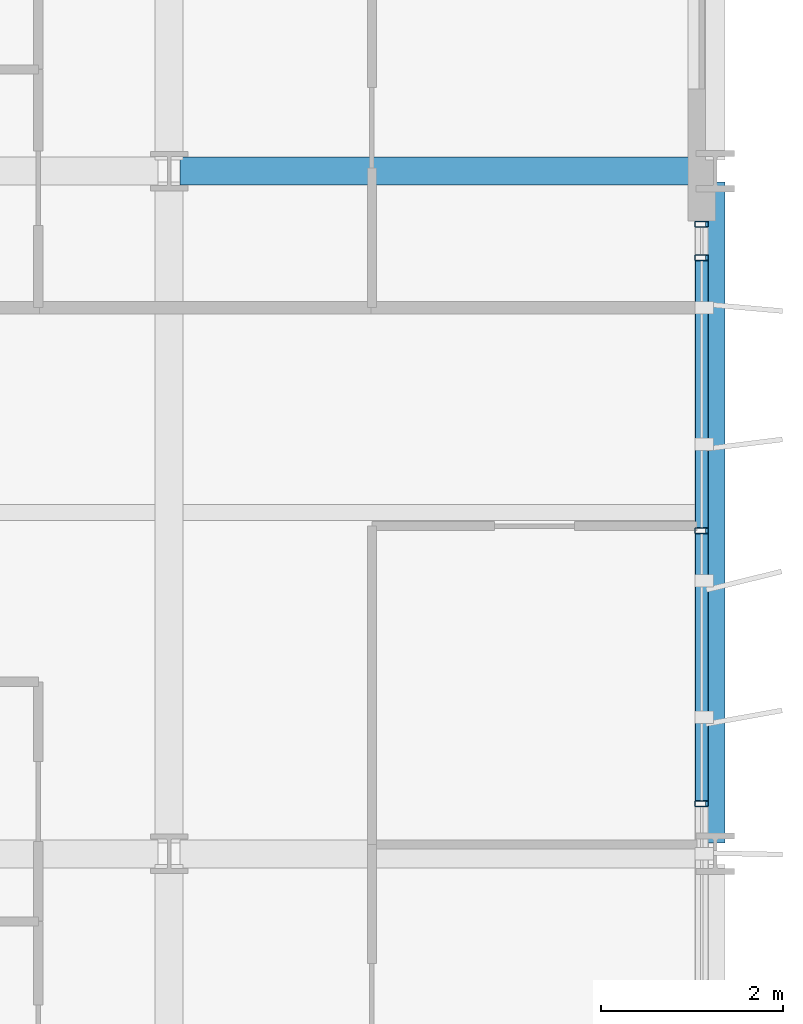
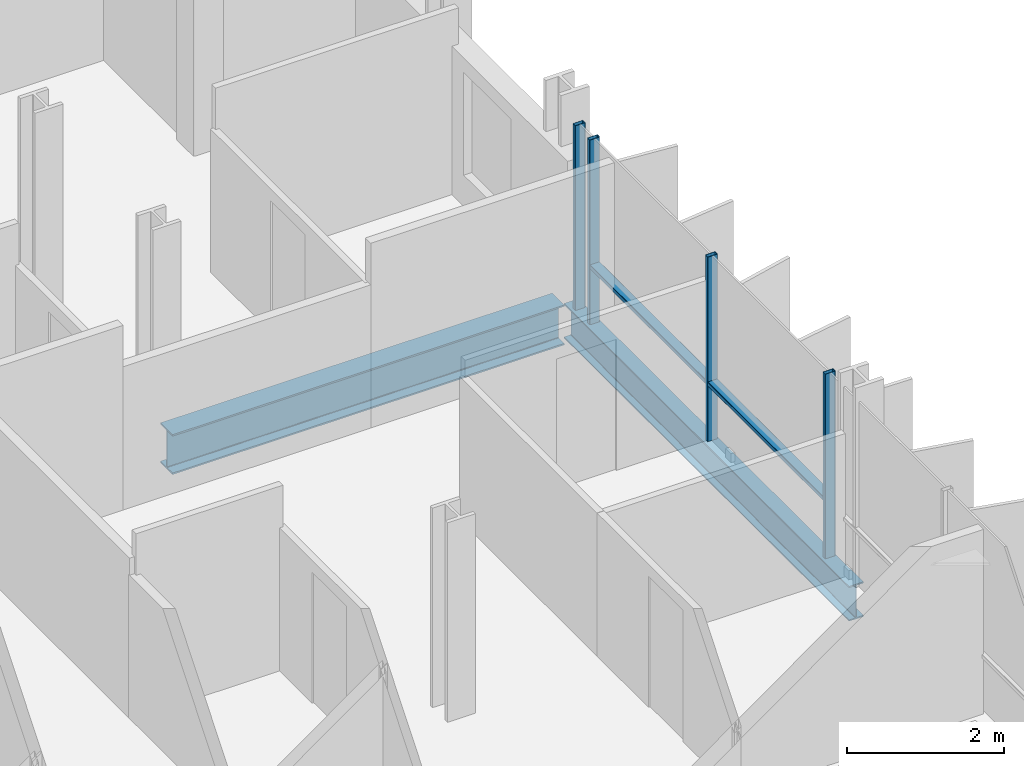
# One storey, part 19 of 38: 6 members, 2 beams, 1 element without a shape of its own.
"""IFC4 building model written with IfcOpenShell, lengths in metres."""

from ifc_helpers import new_model, si_unit, direction, frame, origin, origin_2d, place, context, subcontext, project, spatial, hollow_rectangle, i_section, extrude, material, layer, layer_set, material_profile, profile_set, type_object, element, aggregate, save


model = new_model("IFC4")

# Units and contexts
model_context = context("Model", 3, precision=1e-05, world=origin(), true_north=direction((0.0, 1.0)))
body_context = subcontext(model_context, "Body", "Model", "MODEL_VIEW")
ifc_project = project(units=[si_unit("LENGTHUNIT", "METRE"), si_unit("AREAUNIT", "SQUARE_METRE"), si_unit("VOLUMEUNIT", "CUBIC_METRE"), si_unit("PLANEANGLEUNIT", "RADIAN"), si_unit("MASSUNIT", "GRAM", prefix="KILO")], contexts=[model_context])

# Site, building, storey
site_placement = place(None, origin())
site = spatial("IfcSite", under=ifc_project, at=site_placement, CompositionType="ELEMENT")
building_placement = place(site_placement, origin())
building = spatial("IfcBuilding", under=site, at=building_placement, Name="Brevholm Reach", CompositionType="ELEMENT")
storey_placement = place(building_placement, frame((0.0, 0.0, 65.199951171875)))
storey = spatial("IfcBuildingStorey", under=building, at=storey_placement, Name="L18", CompositionType="ELEMENT", Elevation=65.199951171875)

# Beams
ifc_material_1 = material(Name="Structural Steel S355J2", Category="steel")
ifc_material_profile_1 = material_profile(ifc_material_1, i_section(OverallWidth=0.210693359375, OverallDepth=0.53955078125, WebThickness=0.01171875, FlangeThickness=0.018798828125, FilletRadius=0.0126953125, at=origin_2d()), Name="UKB 533x210x109")
ifc_profile_set_1 = profile_set([ifc_material_profile_1], Name="Structural Steel S355J2")
beam_type_1 = type_object("IfcBeamType", Name="BM-SP539", PredefinedType="SPANDREL", material=ifc_profile_set_1)
beam_1_placement = place(storey_placement, frame((60.0, 16.1201171875, -0.499755859375), z_axis=(0.0, 1.0, 0.0), x_axis=(-1.0, 0.0, 0.0)))
element("IfcBeam", 1, at=beam_1_placement, inside=storey, type_object=beam_type_1, Name="L18 SP-01B Framing Beam", PredefinedType="SPANDREL", context=body_context, shape_type="SweptSolid", body=[
    extrude(i_section(OverallWidth=0.210693359375, OverallDepth=0.53955078125, WebThickness=0.01171875, FlangeThickness=0.018798828125, FilletRadius=0.0126953125, at=origin_2d()), origin(), (0.0, 0.0, 1.0), 7.259765625),
])
ifc_material_2 = material(Name="Structural Steel S355J2", Category="steel")
ifc_material_profile_2 = material_profile(ifc_material_2, i_section(OverallWidth=0.30712890625, OverallDepth=0.6201171875, WebThickness=0.01416015625, FlangeThickness=0.023681640625, FilletRadius=0.0166015625, at=origin_2d()), Name="UKB 610x305x179")
ifc_profile_set_2 = profile_set([ifc_material_profile_2], Name="Structural Steel S355J2")
beam_type_2 = type_object("IfcBeamType", Name="BM-UKB610H", PredefinedType="USERDEFINED", material=ifc_profile_set_2)
beam_2_placement = place(storey_placement, frame((54.1201171875, 23.5, -0.5400390625), z_axis=(1.0, 0.0, 0.0), x_axis=(0.0, 1.0, 0.0)))
element("IfcBeam", 2, at=beam_2_placement, inside=storey, type_object=beam_type_2, Name="L18 G-06 Framing Beam", ObjectType="GIRDER", PredefinedType="USERDEFINED", context=body_context, shape_type="SweptSolid", body=[
    extrude(i_section(OverallWidth=0.30712890625, OverallDepth=0.6201171875, WebThickness=0.01416015625, FlangeThickness=0.023681640625, FilletRadius=0.0166015625, at=origin_2d()), origin(), (0.0, 0.0, 1.0), 5.759765625),
])

# Curtain wall, members
ifc_material_3 = material(Name="Dark Anodised Aluminium 6063-T6 and Solar-Control Glass", Category="aluminium")
ifc_layer = layer(ifc_material_3, 0.14990234375)
ifc_layer_set = layer_set([ifc_layer], Name="Dark Anodised Aluminium 6063-T6 and Solar-Control Glass")
curtain_wall_type = type_object("IfcCurtainWallType", Name="CW-01", PredefinedType="NOTDEFINED", material=ifc_layer_set)
curtain_wall_placement = place(storey_placement, origin())
curtain_wall = element("IfcCurtainWall", 3, at=curtain_wall_placement, inside=storey, type_object=curtain_wall_type, Name="L18 Curtain Wall CW-01", PredefinedType="NOTDEFINED")
ifc_material_4 = material(Name="Dark Anodised Aluminium 6063-T6", Category="aluminium")
ifc_material_profile_3 = material_profile(ifc_material_4, hollow_rectangle(XDim=0.06494140625, YDim=0.14990234375, WallThickness=0.0048828125, InnerFilletRadius=0.0048828125, OuterFilletRadius=0.010009765625, at=origin_2d()), Name="RHS 150x65x5")
ifc_profile_set_3 = profile_set([ifc_material_profile_3], Name="Dark Anodised Aluminium 6063-T6")
member_type_1 = type_object("IfcMemberType", Name="CWM-150", PredefinedType="MULLION", material=ifc_profile_set_3)
member_1_placement = place(storey_placement, frame((59.85009765625, 16.550048828125, 0.0), z_axis=(0.0, 0.0, 1.0), x_axis=(0.0, 1.0, 0.0)))
member_1 = element("IfcMember", 4, at=member_1_placement, type_object=member_type_1, Name="CM-150 Mullion 3", PredefinedType="MULLION", context=body_context, shape_type="SweptSolid", body=[
    extrude(hollow_rectangle(XDim=0.06494140625, YDim=0.14990234375, WallThickness=0.0048828125, InnerFilletRadius=0.0048828125, OuterFilletRadius=0.010009765625, at=origin_2d()), origin(), (0.0, 0.0, 1.0), 2.8701171875),
])
member_2_placement = place(storey_placement, frame((59.85009765625, 19.550048828125, 0.0), z_axis=(0.0, 0.0, 1.0), x_axis=(0.0, 1.0, 0.0)))
member_2 = element("IfcMember", 5, at=member_2_placement, type_object=member_type_1, Name="CM-150 Mullion 4", PredefinedType="MULLION", context=body_context, shape_type="SweptSolid", body=[
    extrude(hollow_rectangle(XDim=0.06494140625, YDim=0.14990234375, WallThickness=0.0048828125, InnerFilletRadius=0.0048828125, OuterFilletRadius=0.010009765625, at=origin_2d()), origin(), (0.0, 0.0, 1.0), 2.8701171875),
])
member_3_placement = place(storey_placement, frame((59.85009765625, 22.550048828125, 0.0), z_axis=(0.0, 0.0, 1.0), x_axis=(0.0, 1.0, 0.0)))
member_3 = element("IfcMember", 6, at=member_3_placement, type_object=member_type_1, Name="CM-150 Mullion 5", PredefinedType="MULLION", context=body_context, shape_type="SweptSolid", body=[
    extrude(hollow_rectangle(XDim=0.06494140625, YDim=0.14990234375, WallThickness=0.0048828125, InnerFilletRadius=0.0048828125, OuterFilletRadius=0.010009765625, at=origin_2d()), origin(), (0.0, 0.0, 1.0), 2.8701171875),
])
member_4_placement = place(storey_placement, frame((59.85009765625, 22.91748046875, 0.0), z_axis=(0.0, 0.0, 1.0), x_axis=(0.0, 1.0, 0.0)))
member_4 = element("IfcMember", 7, at=member_4_placement, type_object=member_type_1, Name="CM-150 Mullion 6", PredefinedType="MULLION", context=body_context, shape_type="SweptSolid", body=[
    extrude(hollow_rectangle(XDim=0.06494140625, YDim=0.14990234375, WallThickness=0.0048828125, InnerFilletRadius=0.0048828125, OuterFilletRadius=0.010009765625, at=origin_2d()), origin(), (0.0, 0.0, 1.0), 2.8701171875),
])
ifc_material_5 = material(Name="Dark Anodised Aluminium 6063-T6", Category="aluminium")
ifc_material_profile_4 = material_profile(ifc_material_5, hollow_rectangle(XDim=0.06494140625, YDim=0.14990234375, WallThickness=0.0048828125, InnerFilletRadius=0.0048828125, OuterFilletRadius=0.010009765625, at=origin_2d()), Name="RHS 150x65x5")
ifc_profile_set_4 = profile_set([ifc_material_profile_4], Name="Dark Anodised Aluminium 6063-T6")
member_type_2 = type_object("IfcMemberType", Name="CWT-150", PredefinedType="NOTDEFINED", material=ifc_profile_set_4)
member_5_placement = place(storey_placement, frame((59.85009765625, 16.58251953125, 0.900146484375), z_axis=(0.0, 1.0, 0.0), x_axis=(0.0, 0.0, 1.0)))
member_5 = element("IfcMember", 8, at=member_5_placement, type_object=member_type_2, Name="CT-150 Transom 3.1", ObjectType="TRANSOM", PredefinedType="USERDEFINED", context=body_context, shape_type="SweptSolid", body=[
    extrude(hollow_rectangle(XDim=0.06494140625, YDim=0.14990234375, WallThickness=0.0048828125, InnerFilletRadius=0.0048828125, OuterFilletRadius=0.010009765625, at=origin_2d()), origin(), (0.0, 0.0, 1.0), 2.93505859375),
])
member_6_placement = place(storey_placement, frame((59.85009765625, 19.58251953125, 0.900146484375), z_axis=(0.0, 1.0, 0.0), x_axis=(0.0, 0.0, 1.0)))
member_6 = element("IfcMember", 9, at=member_6_placement, type_object=member_type_2, Name="CT-150 Transom 4.1", ObjectType="TRANSOM", PredefinedType="USERDEFINED", context=body_context, shape_type="SweptSolid", body=[
    extrude(hollow_rectangle(XDim=0.06494140625, YDim=0.14990234375, WallThickness=0.0048828125, InnerFilletRadius=0.0048828125, OuterFilletRadius=0.010009765625, at=origin_2d()), origin(), (0.0, 0.0, 1.0), 2.93505859375),
])
aggregate(curtain_wall, [member_1, member_2, member_3, member_4, member_5, member_6])

save(model, "model.ifc")
